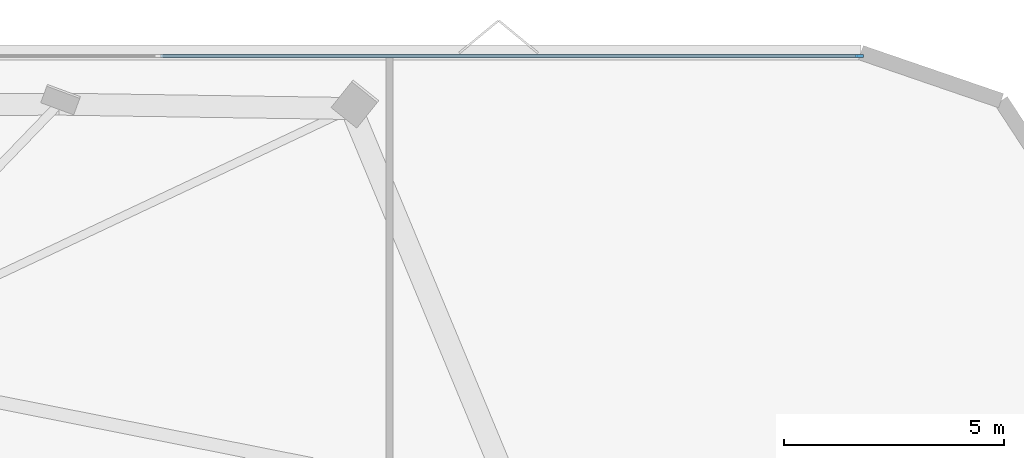
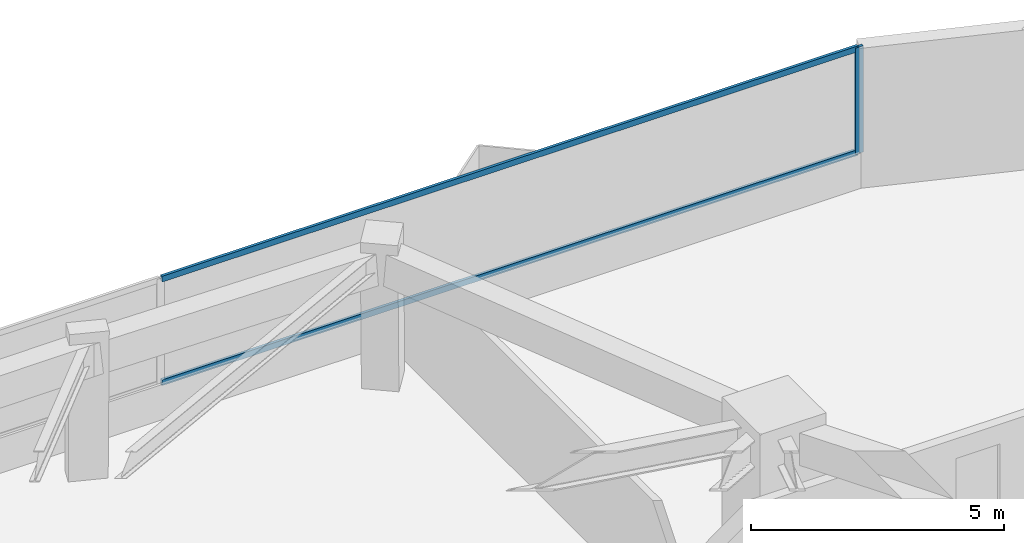
# One storey, part 9 of 14: 3 members, 1 element without a shape of its own.
"""IFC4 building model written with IfcOpenShell, lengths in metres."""

import ifcopenshell
import ifcopenshell.guid

model = None  # the IFC model being written
_history = None  # IfcOwnerHistory: only IFC2X3 demands one
_inside = {}  # id of a spatial element -> (the spatial element, [elements in it])
_under = {}  # id of a project, library or spatial element -> (it, [spatial elements below it])
_declared = {}  # id of a project -> (the project, [libraries it declares])
_typed = {}  # id of a type object -> (the type object, [elements of that type])
_made_of = {}  # id of a material, layer set ... -> (it, [elements and type objects made of it])


def new_model(schema):
    """Start an empty IFC model of exactly this schema.

    Asked for "IFC4X3", IfcOpenShell would pick the latest addendum, in which some entities
    have other attributes; the version numbers below select the first issue.
    IFC2X3 requires an IfcOwnerHistory on every rooted entity: one is made here for all.
    """
    global model, _history
    if schema == "IFC4X3":
        model = ifcopenshell.file(schema_version=(4, 3, 0, 0))
    else:
        model = ifcopenshell.file(schema=schema)
    _inside.clear()
    _under.clear()
    _declared.clear()
    _typed.clear()
    _made_of.clear()
    _history = None
    if model.schema == "IFC2X3":
        org = make("IfcOrganization", Name="unknown")
        user = make(
            "IfcPersonAndOrganization",
            ThePerson=make("IfcPerson", FamilyName="unknown"),
            TheOrganization=org,
        )
        app = make(
            "IfcApplication",
            ApplicationDeveloper=org,
            Version="unknown",
            ApplicationFullName="unknown",
            ApplicationIdentifier="unknown",
        )
        _history = make(
            "IfcOwnerHistory",
            OwningUser=user,
            OwningApplication=app,
            ChangeAction="ADDED",
            CreationDate=0,
        )
    return model


def make(cls, **values):
    """One entity of the class cls with the attributes given. An attribute that is None is left unset."""
    return model.create_entity(
        cls, **{name: value for name, value in values.items() if value is not None}
    )


def rooted(cls, **values):
    """An entity with a GlobalId (a new one), such as an element, a storey or a relation."""
    return make(cls, GlobalId=ifcopenshell.guid.new(), OwnerHistory=_history, **values)


def si_unit(unit_type, name, prefix=None):
    """IfcSIUnit, for example si_unit("LENGTHUNIT", "METRE", prefix="MILLI")."""
    return make("IfcSIUnit", UnitType=unit_type, Prefix=prefix, Name=name)


def assignment(units):
    """IfcUnitAssignment: the units of a project."""
    return None if units is None else make("IfcUnitAssignment", Units=units)


def point(xyz):
    """IfcCartesianPoint."""
    return None if xyz is None else make("IfcCartesianPoint", Coordinates=xyz)


def direction(xyz):
    """IfcDirection."""
    return None if xyz is None else make("IfcDirection", DirectionRatios=xyz)


def frame(location, z_axis=None, x_axis=None):
    """IfcAxis2Placement3D, a coordinate frame: its origin and axes. An axis left out is left unset."""
    return make(
        "IfcAxis2Placement3D",
        Location=point(location),
        Axis=direction(z_axis),
        RefDirection=direction(x_axis),
    )


def frame_2d(location, x_axis=None):
    """IfcAxis2Placement2D, a coordinate frame in the plane: its origin and x axis."""
    return make(
        "IfcAxis2Placement2D", Location=point(location), RefDirection=direction(x_axis)
    )


def origin():
    """The frame at (0, 0, 0) with its axes left unset."""
    return frame((0.0, 0.0, 0.0))


def origin_2d():
    """The frame at (0, 0) in the plane with its x axis left unset."""
    return frame_2d((0.0, 0.0))


def place(relative_to, where):
    """IfcLocalPlacement: puts the frame where relative to a parent placement (None: the world)."""
    return make(
        "IfcLocalPlacement", PlacementRelTo=relative_to, RelativePlacement=where
    )


def context(
    kind, dimensions, precision=None, world=None, true_north=None, identifier=None
):
    """IfcGeometricRepresentationContext, for example the 3D "Model" context."""
    return make(
        "IfcGeometricRepresentationContext",
        ContextIdentifier=identifier,
        ContextType=kind,
        CoordinateSpaceDimension=dimensions,
        Precision=precision,
        WorldCoordinateSystem=world,
        TrueNorth=true_north,
    )


def subcontext(parent, identifier, kind, view, scale=None):
    """IfcGeometricRepresentationSubContext, for example "Body" below "Model"."""
    return make(
        "IfcGeometricRepresentationSubContext",
        ContextIdentifier=identifier,
        ContextType=kind,
        ParentContext=parent,
        TargetScale=scale,
        TargetView=view,
    )


def project(units=None, contexts=None):
    """IfcProject with its units and contexts."""
    return rooted(
        "IfcProject",
        Name="project",
        RepresentationContexts=contexts,
        UnitsInContext=assignment(units),
    )


def spatial(cls, under=None, at=None, **own):
    """A site, building, storey or space (cls), placed at a placement, below another one or the project."""
    s = rooted(cls, ObjectPlacement=at, **own)
    if under is not None:
        _under.setdefault(under.id(), (under, []))[1].append(s)
    return s


def profile(cls, at=None, kind="AREA", **sizes):
    """A parametric profile (cls). Its sizes go by their IFC names, for example OverallWidth=200.0."""
    return make(cls, ProfileType=kind, Position=at, **sizes)


def rectangle(**sizes):
    """IfcRectangleProfileDef."""
    return profile("IfcRectangleProfileDef", **sizes)


def extrude(swept, where, along, depth):
    """IfcExtrudedAreaSolid: the profile swept, set in the frame where, extruded along a direction by depth."""
    return make(
        "IfcExtrudedAreaSolid",
        SweptArea=swept,
        Position=where,
        ExtrudedDirection=direction(along),
        Depth=depth,
    )


def shape(context_of_items, identifier, shape_type, items):
    """IfcShapeRepresentation: the items that make up one representation, for example the "Body"."""
    return make(
        "IfcShapeRepresentation",
        ContextOfItems=context_of_items,
        RepresentationIdentifier=identifier,
        RepresentationType=shape_type,
        Items=items,
    )


def material(Name=None, Category=None):
    """IfcMaterial."""
    return make("IfcMaterial", Name=Name, Category=Category)


def layer(
    of_material, thickness, ventilated=None, Name=None, Category=None, Priority=None
):
    """IfcMaterialLayer: one layer of a wall or slab, of a material (None: an air gap)."""
    return make(
        "IfcMaterialLayer",
        Material=of_material,
        LayerThickness=thickness,
        IsVentilated=ventilated,
        Name=Name,
        Category=Category,
        Priority=Priority,
    )


def layer_set(layers, Name=None):
    """IfcMaterialLayerSet."""
    return make("IfcMaterialLayerSet", MaterialLayers=layers, LayerSetName=Name)


def material_profile(
    of_material, cross_section, Name=None, Category=None, Priority=None
):
    """IfcMaterialProfile: a cross section and its material."""
    return make(
        "IfcMaterialProfile",
        Name=Name,
        Material=of_material,
        Profile=cross_section,
        Priority=Priority,
        Category=Category,
    )


def profile_set(profiles, Name=None, composite=None):
    """IfcMaterialProfileSet."""
    return make(
        "IfcMaterialProfileSet",
        Name=Name,
        MaterialProfiles=profiles,
        CompositeProfile=composite,
    )


def made_of(thing, what):
    """Note that an element or type object is made of a material, layer set ...; save() writes the relation."""
    if what is not None:
        _made_of.setdefault(what.id(), (what, []))[1].append(thing)
    return thing


def type_object(cls, material=None, **own):
    """A type object (cls), such as IfcWallType, which elements share."""
    return made_of(rooted(cls, **own), material)


def element(
    cls,
    number,
    at=None,
    inside=None,
    cuts=None,
    type_object=None,
    material=None,
    context=None,
    identifier="Body",
    shape_type=None,
    held_by="IfcProductDefinitionShape",
    body=None,
    shapes=None,
    **own,
):
    """One element of the class cls, such as IfcWall. Its Tag is "e" and its number.

    at: its placement. inside: the storey or other place that contains it. cuts: it is an
    opening in that element (IfcRelVoidsElement). A single representation is given by context,
    identifier, shape_type and body (its items); several are given by shapes. held_by: the class
    of the entity that holds the representations. save() writes the other relations.
    """
    e = rooted(cls, Tag="e%d" % number, ObjectPlacement=at, **own)
    if body is not None:
        shapes = [shape(context, identifier, shape_type, body)]
    if shapes is not None:
        e.Representation = make(held_by, Representations=shapes)
    if inside is not None:
        _inside.setdefault(inside.id(), (inside, []))[1].append(e)
    if cuts is not None:
        rooted(
            "IfcRelVoidsElement", RelatingBuildingElement=cuts, RelatedOpeningElement=e
        )
    if type_object is not None:
        _typed.setdefault(type_object.id(), (type_object, []))[1].append(e)
    return made_of(e, material)


def aggregate(whole, parts):
    """IfcRelAggregates: a whole, such as a stair, and the parts it consists of."""
    return rooted("IfcRelAggregates", RelatingObject=whole, RelatedObjects=parts)


def save(model, path):
    """Write the relations noted so far, then the file.

    IfcRelAggregates (storeys below a building ...), IfcRelContainedInSpatialStructure (elements
    in a storey), IfcRelDefinesByType, IfcRelAssociatesMaterial and IfcRelDeclares: one each for
    every whole, place, type object, material and project.
    """
    for whole, parts in _under.values():
        aggregate(whole, parts)
    for where, things in _inside.values():
        rooted(
            "IfcRelContainedInSpatialStructure",
            RelatedElements=things,
            RelatingStructure=where,
        )
    for kind, things in _typed.values():
        rooted("IfcRelDefinesByType", RelatedObjects=things, RelatingType=kind)
    for what, things in _made_of.values():
        rooted("IfcRelAssociatesMaterial", RelatedObjects=things, RelatingMaterial=what)
    for by, libraries in _declared.values():
        rooted("IfcRelDeclares", RelatingContext=by, RelatedDefinitions=libraries)
    model.write(path)


model = new_model("IFC4")

# Units and contexts
model_context = context("Model", 3, precision=1e-05, world=origin(), true_north=direction((0.0, 1.0)))
body_context = subcontext(model_context, "Body", "Model", "MODEL_VIEW")
ifc_project = project(units=[si_unit("LENGTHUNIT", "METRE"), si_unit("AREAUNIT", "SQUARE_METRE"), si_unit("VOLUMEUNIT", "CUBIC_METRE"), si_unit("PLANEANGLEUNIT", "RADIAN"), si_unit("MASSUNIT", "GRAM", prefix="KILO")], contexts=[model_context])

# Site, building, storey
site_placement = place(None, origin())
site = spatial("IfcSite", under=ifc_project, at=site_placement, CompositionType="ELEMENT")
building_placement = place(site_placement, origin())
building = spatial("IfcBuilding", under=site, at=building_placement, Name="Talyreon Biosciences Tower", CompositionType="ELEMENT")
storey_placement = place(building_placement, frame((0.0, 0.0, 138.14990234375)))
storey = spatial("IfcBuildingStorey", under=building, at=storey_placement, Name="L36", CompositionType="ELEMENT", Elevation=138.14990234375)

# Curtain wall, members
ifc_material_1 = material(Name="Thermally broken aluminium and low-E glazing", Category="aluminium")
ifc_layer = layer(ifc_material_1, 0.18505859375)
ifc_layer_set = layer_set([ifc_layer], Name="Thermally broken aluminium and low-E glazing")
curtain_wall_type = type_object("IfcCurtainWallType", Name="CurtainWall_Zone3Bioprocess", PredefinedType="NOTDEFINED", material=ifc_layer_set)
curtain_wall_placement = place(storey_placement, origin())
curtain_wall = element("IfcCurtainWall", 1, at=curtain_wall_placement, inside=storey, type_object=curtain_wall_type, Name="L36 Unitised Curtain Wall FCW-L36-04", PredefinedType="NOTDEFINED")
ifc_material_2 = material(Name="Anodised thermally broken aluminium", Category="aluminium")
ifc_material_profile_1 = material_profile(ifc_material_2, rectangle(XDim=0.06494140625, YDim=0.179931640625, at=origin_2d()), Name="ALUM MULLION 65x180")
ifc_profile_set_1 = profile_set([ifc_material_profile_1], Name="Anodised thermally broken aluminium")
member_type_1 = type_object("IfcMemberType", Name="CWMullion_65x180", PredefinedType="MULLION", material=ifc_profile_set_1)
member_1_placement = place(storey_placement, frame((89.92529296875, 88.80615234375, 0.81005859375), z_axis=(0.0, 0.0, 1.0), x_axis=(0.0, 1.0, 0.0)))
member_1 = element("IfcMember", 2, at=member_1_placement, type_object=member_type_1, Name="CW4 mullion 4", PredefinedType="MULLION", context=body_context, shape_type="SweptSolid", body=[
    extrude(rectangle(XDim=0.06494140625, YDim=0.179931640625, at=origin_2d()), origin(), (0.0, 0.0, 1.0), 2.56494140625),
])
ifc_material_profile_2 = material_profile(ifc_material_2, rectangle(XDim=0.06494140625, YDim=0.139892578125, at=origin_2d()), Name="ALUM TRANSOM 65x140")
ifc_profile_set_2 = profile_set([ifc_material_profile_2], Name="Anodised thermally broken aluminium")
member_type_2 = type_object("IfcMemberType", Name="CWTransom_65x140", PredefinedType="USERDEFINED", material=ifc_profile_set_2)
member_2_placement = place(storey_placement, frame((74.018310546875, 88.80615234375, 0.842529296875), z_axis=(1.0, 0.0, 0.0), x_axis=(0.0, 1.0, 0.0)))
member_2 = element("IfcMember", 3, at=member_2_placement, type_object=member_type_2, Name="CW4 transom 3.1", ObjectType="TRANSOM", PredefinedType="USERDEFINED", context=body_context, shape_type="SweptSolid", body=[
    extrude(rectangle(XDim=0.06494140625, YDim=0.139892578125, at=origin_2d()), origin(), (0.0, 0.0, 1.0), 15.874267578125),
])
member_3_placement = place(storey_placement, frame((74.018310546875, 88.80615234375, 3.342529296875), z_axis=(1.0, 0.0, 0.0), x_axis=(0.0, 1.0, 0.0)))
member_3 = element("IfcMember", 4, at=member_3_placement, type_object=member_type_2, Name="CW4 transom 3.2", ObjectType="TRANSOM", PredefinedType="USERDEFINED", context=body_context, shape_type="SweptSolid", body=[
    extrude(rectangle(XDim=0.06494140625, YDim=0.139892578125, at=origin_2d()), origin(), (0.0, 0.0, 1.0), 15.874267578125),
])
aggregate(curtain_wall, [member_1, member_2, member_3])

save(model, "model.ifc")
